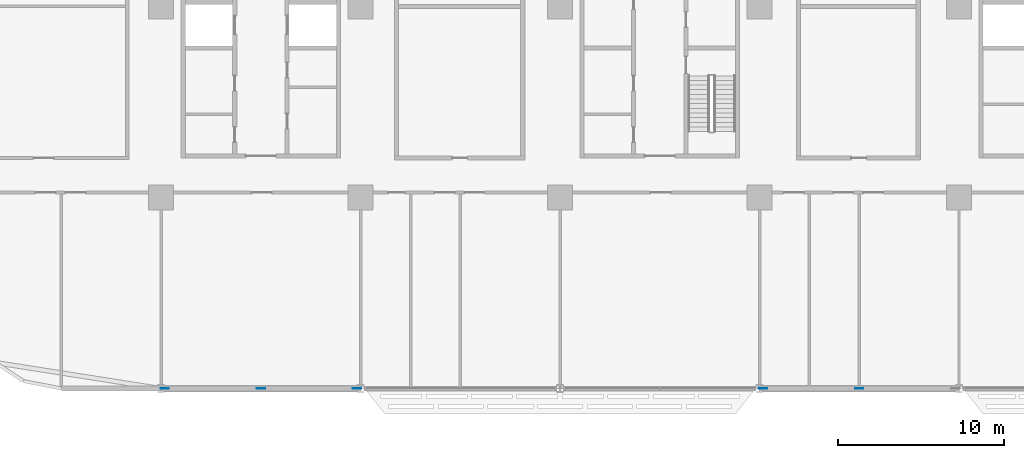
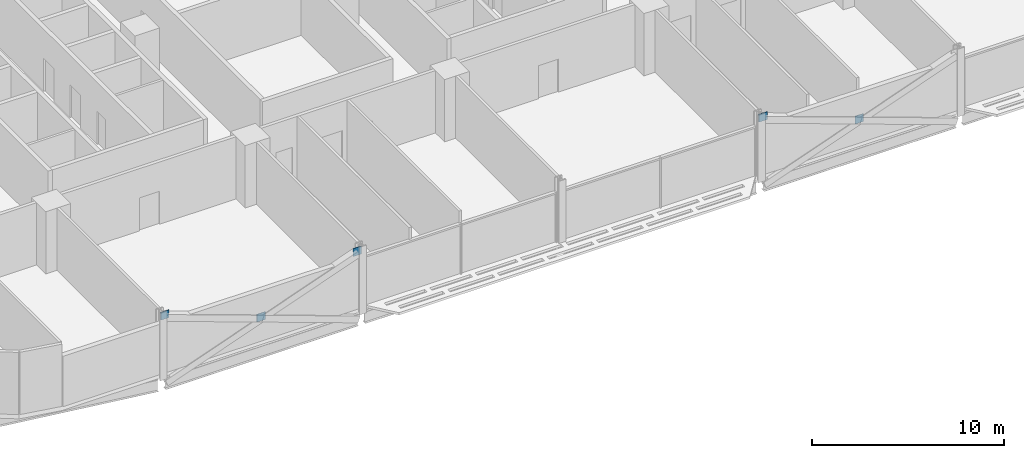
# One storey, part 19 of 29: 5 discrete accessories.
"""IFC4 building model written with IfcOpenShell, lengths in metres."""

from ifc_helpers import new_model, si_unit, direction, frame, origin, origin_2d, place, context, subcontext, project, spatial, rectangle, extrude, material, layer, layer_set, type_object, element, save


model = new_model("IFC4")

# Units and contexts
model_context = context("Model", 3, precision=1e-05, world=origin(), true_north=direction((0.0, 1.0)))
body_context = subcontext(model_context, "Body", "Model", "MODEL_VIEW")
ifc_project = project(units=[si_unit("LENGTHUNIT", "METRE"), si_unit("AREAUNIT", "SQUARE_METRE"), si_unit("VOLUMEUNIT", "CUBIC_METRE"), si_unit("PLANEANGLEUNIT", "RADIAN"), si_unit("MASSUNIT", "GRAM", prefix="KILO")], contexts=[model_context])

# Site, building, storey
site_placement = place(None, origin())
site = spatial("IfcSite", under=ifc_project, at=site_placement, CompositionType="ELEMENT")
building_placement = place(site_placement, origin())
building = spatial("IfcBuilding", under=site, at=building_placement, Name="Mahtab Terrace Research Tower", CompositionType="ELEMENT")
storey_placement = place(building_placement, frame((0.0, 0.0, 67.5)))
storey = spatial("IfcBuildingStorey", under=building, at=storey_placement, Name="L15", CompositionType="ELEMENT", Elevation=67.5)

# Discrete accessories
ifc_material = material(Name="Steel ASTM A992 Gr 50", Category="steel")
ifc_layer = layer(ifc_material, 0.030029296875)
ifc_layer_set = layer_set([ifc_layer], Name="Gusset plate 500x500x30")
discrete_accessory_type = type_object("IfcDiscreteAccessoryType", Name="Gusset plate 500x500x30", PredefinedType="USERDEFINED", material=ifc_layer_set)
for number, where, z_axis, x_axis, name in (
    (1, (-29.787841796875, -23.0, 3.33154296875), (0.0, 0.0, 1.0), (1.0, 0.0, 0.0), "Gusset plate"),
    (2, (-24.0, -23.0, 1.181396484375), (0.0, 0.0, 1.0), (1.0, 0.0, 0.0), "Gusset plate"),
    (3, (-18.212158203125, -23.0, 3.33154296875), (0.0, 0.0, 1.0), (1.0, 0.0, 0.0), "Gusset plate"),
    (4, (6.212158203125, -23.0, 3.33154296875), (0.0, 0.0, 1.0), (1.0, 0.0, 0.0), "Gusset plate"),
    (5, (12.0, -23.0, 1.181396484375), (0.0, 0.0, 1.0), (1.0, 0.0, 0.0), "Gusset plate"),
):
    element("IfcDiscreteAccessory", number, at=place(storey_placement, frame(where, z_axis=z_axis, x_axis=x_axis)), inside=storey, type_object=discrete_accessory_type, Name=name, ObjectType="GUSSET PLATE", PredefinedType="USERDEFINED", context=body_context, shape_type="SweptSolid", body=[
        extrude(rectangle(XDim=0.5, YDim=0.030029296875, at=origin_2d()), origin(), (0.0, 0.0, 1.0), 0.5),
    ])

save(model, "model.ifc")
